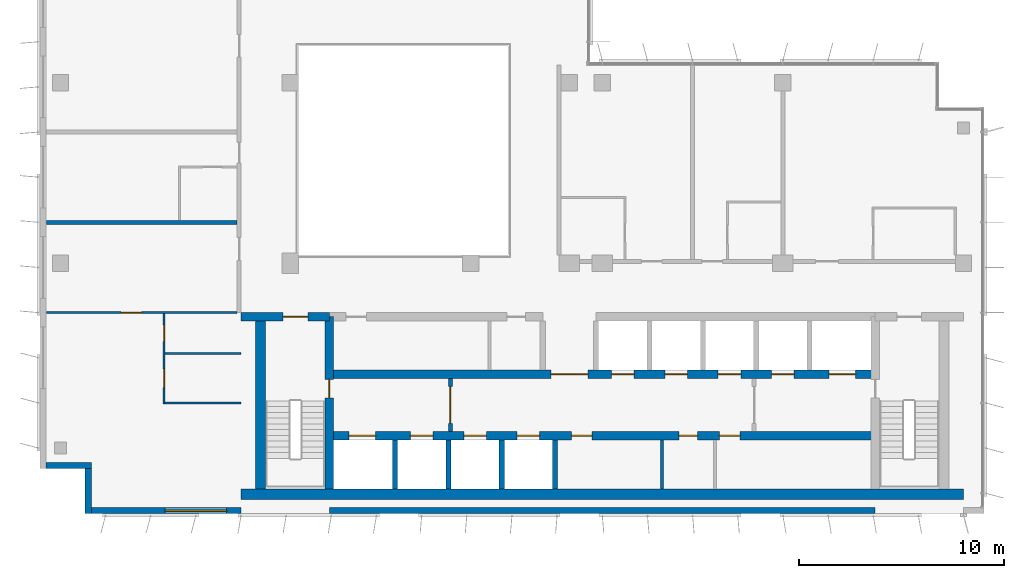
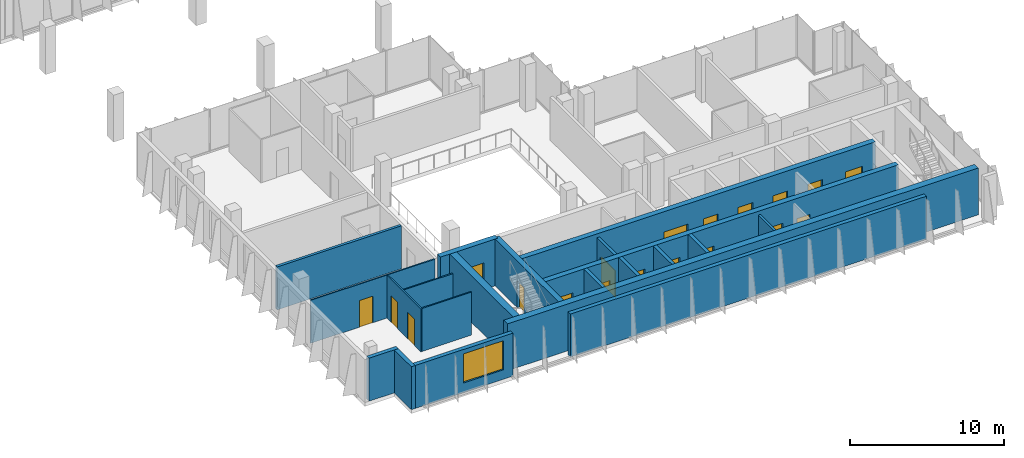
# One storey, part 9 of 14: 21 walls, 19 doors, 1 window, 20 openings.
"""IFC4 building model written with IfcOpenShell, lengths in metres."""

from ifc_helpers import new_model, si_unit, direction, frame, frame_2d, origin, place, context, subcontext, project, spatial, rectangle, extrude, material, layer, layer_set, type_object, element, fill, save


model = new_model("IFC4")

# Units and contexts
model_context = context("Model", 3, precision=1e-05, world=origin(), true_north=direction((0.0, 1.0)))
body_context = subcontext(model_context, "Body", "Model", "MODEL_VIEW")
ifc_project = project(units=[si_unit("LENGTHUNIT", "METRE"), si_unit("AREAUNIT", "SQUARE_METRE"), si_unit("VOLUMEUNIT", "CUBIC_METRE"), si_unit("PLANEANGLEUNIT", "RADIAN"), si_unit("MASSUNIT", "GRAM", prefix="KILO")], contexts=[model_context])

# Site, building, storey
site_placement = place(None, origin())
site = spatial("IfcSite", under=ifc_project, at=site_placement, CompositionType="ELEMENT")
building_placement = place(site_placement, origin())
building = spatial("IfcBuilding", under=site, at=building_placement, Name="Kemantara Hotel Tower", CompositionType="ELEMENT")
storey_placement = place(building_placement, frame((0.0, 0.0, 245.0)))
storey = spatial("IfcBuildingStorey", under=building, at=storey_placement, Name="L61", CompositionType="ELEMENT", Elevation=245.0)

# Walls
ifc_material_1 = material(Name="Bronze anodised aluminium cladding on insulated steel stud wall", Category="steel")
ifc_layer_1 = layer(ifc_material_1, 0.300048828125)
ifc_layer_set_1 = layer_set([ifc_layer_1], Name="Bronze anodised aluminium cladding on insulated steel stud wall")
wall_type_1 = type_object("IfcWallType", Name="BRONZE METAL-CLAD EXTERNAL WALL 300", PredefinedType="STANDARD", material=ifc_layer_set_1)
for number, where, z_axis, x_axis, name in (
    (1, (0.300048828125, 2.35009765625, 0.0), (0.0, 0.0, 1.0), (1.0, 0.0, 0.0), "EXTERNAL WALL L61 T4P-R03"),
    (2, (2.35009765625, 2.199951171875, 0.0), (0.0, 0.0, 1.0), (0.0, -1.0, 0.0), "EXTERNAL WALL L61 T4P-R04"),
):
    element("IfcWall", number, at=place(storey_placement, frame(where, z_axis=z_axis, x_axis=x_axis)), inside=storey, type_object=wall_type_1, Name=name, PredefinedType="STANDARD", context=body_context, shape_type="SweptSolid", body=[
        extrude(rectangle(XDim=2.199951171875, YDim=0.300048828125, at=frame_2d((1.10009765625, 0.0))), origin(), (0.0, 0.0, 1.0), 3.39990234375),
    ])

# Wall, opening, window
wall_1_placement = place(storey_placement, frame((2.5, 0.14990234375, 0.0), z_axis=(0.0, 0.0, 1.0), x_axis=(1.0, 0.0, 0.0)))
wall_1 = element("IfcWall", 3, at=wall_1_placement, inside=storey, type_object=wall_type_1, Name="EXTERNAL WALL L61 T4P-R05", PredefinedType="STANDARD", context=body_context, shape_type="SweptSolid", body=[
    extrude(rectangle(XDim=7.300048828125, YDim=0.300048828125, at=frame_2d((3.64990234375, 0.0))), origin(), (0.0, 0.0, 1.0), 3.39990234375),
])
opening_1_placement = place(wall_1_placement, frame((3.60009765625, 0.0, 0.75)))
opening_1 = element("IfcOpeningElement", 4, at=opening_1_placement, cuts=wall_1, Name="Opening W1", PredefinedType="OPENING", context=body_context, shape_type="SweptSolid", body=[
    extrude(rectangle(XDim=3.0, YDim=2.300048828125, at=frame_2d((1.5, 1.14990234375))), frame((0.0, 0.159912109375, 0.0), z_axis=(0.0, -1.0, 0.0), x_axis=(1.0, 0.0, 0.0)), (0.0, 0.0, 1.0), 0.320068359375),
])
ifc_material_2 = material(Name="Low-E tinted double insulated glass in bronze anodised aluminium frame", Category="aluminium")
window_type = type_object("IfcWindowType", Name="CHICAGO WINDOW, TRIPLE PANEL 3000x2300", PartitioningType="TRIPLE_PANEL_VERTICAL", PredefinedType="WINDOW", material=ifc_material_2)
window_placement = place(opening_1_placement, origin())
window = element("IfcWindow", 5, at=window_placement, inside=storey, type_object=window_type, Name="CHICAGO WINDOW L61 T4P-R05-54", OverallHeight=2.300048828125, OverallWidth=3.0, PartitioningType="SINGLE_PANEL", PredefinedType="WINDOW", context=body_context, shape_type="SweptSolid", body=[
    extrude(rectangle(XDim=3.0, YDim=2.300048828125, at=frame_2d((1.5, 1.14990234375))), frame((0.0, 0.030029296875, 0.0), z_axis=(0.0, -1.0, 0.0), x_axis=(1.0, 0.0, 0.0)), (0.0, 0.0, 1.0), 0.06005859375),
])
fill(opening_1, window)

# Walls
wall_2_placement = place(storey_placement, frame((14.10009765625, 0.14990234375, 0.0), z_axis=(0.0, 0.0, 1.0), x_axis=(1.0, 0.0, 0.0)))
element("IfcWall", 6, at=wall_2_placement, inside=storey, type_object=wall_type_1, Name="EXTERNAL WALL L61 T4P-R05-2", PredefinedType="STANDARD", context=body_context, shape_type="SweptSolid", body=[
    extrude(rectangle(XDim=26.599853515625, YDim=0.300048828125, at=frame_2d((13.2998046875, 0.0))), origin(), (0.0, 0.0, 1.0), 3.39990234375),
])
ifc_material_3 = material(Name="Concrete fc 60 MPa", Category="concrete")
ifc_layer_2 = layer(ifc_material_3, 0.25)
ifc_layer_set_2 = layer_set([ifc_layer_2], Name="Concrete fc 60 MPa")
wall_type_2 = type_object("IfcWallType", Name="CORE WALL 250 FC60", PredefinedType="SHEAR", material=ifc_layer_set_2)
for number, where, z_axis, x_axis, name in (
    (7, (17.300048828125, 1.199951171875, 0.0), (0.0, 0.0, 1.0), (0.0, 1.0, 0.0), "CORE WALL CW-DS17.3"),
    (8, (19.89990234375, 1.199951171875, 0.0), (0.0, 0.0, 1.0), (0.0, 1.0, 0.0), "CORE WALL CW-DS19.9"),
    (9, (22.5, 1.199951171875, 0.0), (0.0, 0.0, 1.0), (0.0, 1.0, 0.0), "CORE WALL CW-DS22.5"),
    (10, (25.10009765625, 1.199951171875, 0.0), (0.0, 0.0, 1.0), (0.0, 1.0, 0.0), "CORE WALL CW-DS25.1"),
):
    element("IfcWall", number, at=place(storey_placement, frame(where, z_axis=z_axis, x_axis=x_axis)), inside=storey, type_object=wall_type_2, Name=name, PredefinedType="SHEAR", context=body_context, shape_type="SweptSolid", body=[
        extrude(rectangle(XDim=2.400146484375, YDim=0.25, at=frame_2d((1.2001953125, 0.0))), origin(), (0.0, 0.0, 1.0), 3.699951171875),
    ])

# Wall, opening, door
ifc_layer_3 = layer(ifc_material_3, 0.39990234375)
ifc_layer_set_3 = layer_set([ifc_layer_3], Name="Concrete fc 60 MPa")
wall_type_3 = type_object("IfcWallType", Name="CORE WALL 400 FC60", PredefinedType="SHEAR", material=ifc_layer_set_3)
wall_3_placement = place(storey_placement, frame((9.800048828125, 9.60009765625, 0.0), z_axis=(0.0, 0.0, 1.0), x_axis=(1.0, 0.0, 0.0)))
wall_3 = element("IfcWall", 11, at=wall_3_placement, inside=storey, type_object=wall_type_3, Name="CORE WALL CW-N1", PredefinedType="SHEAR", context=body_context, shape_type="SweptSolid", body=[
    extrude(rectangle(XDim=4.300048828125, YDim=0.39990234375, at=frame_2d((2.14990234375, 0.0))), origin(), (0.0, 0.0, 1.0), 3.699951171875),
])
opening_2_placement = place(wall_3_placement, frame((2.050048828125, 0.0, 0.0)))
opening_2 = element("IfcOpeningElement", 12, at=opening_2_placement, cuts=wall_3, Name="Opening C36-ST1-C", PredefinedType="OPENING", context=body_context, shape_type="SweptSolid", body=[
    extrude(rectangle(XDim=1.199951171875, YDim=2.10009765625, at=frame_2d((0.60009765625, 1.050048828125))), frame((0.0, 0.2099609375, 0.0), z_axis=(0.0, -1.0, 0.0), x_axis=(1.0, 0.0, 0.0)), (0.0, 0.0, 1.0), 0.419921875),
])
ifc_material_4 = material(Name="Steel fire door", Category="steel")
door_type_1 = type_object("IfcDoorType", Name="Fire door FD90 1200 x 2100", OperationType="NOTDEFINED", PredefinedType="DOOR", material=ifc_material_4)
door_1_placement = place(opening_2_placement, frame((1.199951171875, 0.0, 0.0), z_axis=(0.0, 0.0, 1.0), x_axis=(-1.0, 0.0, 0.0)))
door_1 = element("IfcDoor", 13, at=door_1_placement, inside=storey, type_object=door_type_1, Name="Stair ST1 door to corridor", OperationType="SINGLE_SWING_LEFT", OverallHeight=2.10009765625, OverallWidth=1.199951171875, PredefinedType="DOOR", context=body_context, shape_type="SweptSolid", body=[
    extrude(rectangle(XDim=1.199951171875, YDim=2.10009765625, at=frame_2d((0.60009765625, 1.050048828125))), frame((0.0, 0.02490234375, 0.0), z_axis=(0.0, -1.0, 0.0), x_axis=(1.0, 0.0, 0.0)), (0.0, 0.0, 1.0), 0.050048828125),
])
fill(opening_2, door_1)

# Wall, openings, doors
wall_4_placement = place(storey_placement, frame((14.10009765625, 3.800048828125, 0.0), z_axis=(0.0, 0.0, 1.0), x_axis=(1.0, 0.0, 0.0)))
wall_4 = element("IfcWall", 14, at=wall_4_placement, inside=storey, type_object=wall_type_3, Name="CORE WALL CW-L1", PredefinedType="SHEAR", context=body_context, shape_type="SweptSolid", body=[
    extrude(rectangle(XDim=26.599853515625, YDim=0.39990234375, at=frame_2d((13.2998046875, 0.0))), origin(), (0.0, 0.0, 1.0), 3.699951171875),
])
opening_3_placement = place(wall_4_placement, frame((0.949951171875, 0.0, 0.0)))
opening_3 = element("IfcOpeningElement", 15, at=opening_3_placement, cuts=wall_4, Name="Opening C36-LD-FF1", PredefinedType="OPENING", context=body_context, shape_type="SweptSolid", body=[
    extrude(rectangle(XDim=1.300048828125, YDim=2.10009765625, at=frame_2d((0.64990234375, 1.050048828125))), frame((0.0, 0.2099609375, 0.0), z_axis=(0.0, -1.0, 0.0), x_axis=(1.0, 0.0, 0.0)), (0.0, 0.0, 1.0), 0.419921875),
])
opening_4_placement = place(wall_4_placement, frame((3.949951171875, 0.0, 0.0)))
opening_4 = element("IfcOpeningElement", 16, at=opening_4_placement, cuts=wall_4, Name="Opening C36-LD-SV1", PredefinedType="OPENING", context=body_context, shape_type="SweptSolid", body=[
    extrude(rectangle(XDim=1.10009765625, YDim=2.10009765625, at=frame_2d((0.550048828125, 1.050048828125))), frame((0.0, 0.2099609375, 0.0), z_axis=(0.0, -1.0, 0.0), x_axis=(1.0, 0.0, 0.0)), (0.0, 0.0, 1.0), 0.419921875),
])
opening_5_placement = place(wall_4_placement, frame((6.550048828125, 0.0, 0.0)))
opening_5 = element("IfcOpeningElement", 17, at=opening_5_placement, cuts=wall_4, Name="Opening C36-LD-SV2", PredefinedType="OPENING", context=body_context, shape_type="SweptSolid", body=[
    extrude(rectangle(XDim=1.10009765625, YDim=2.10009765625, at=frame_2d((0.550048828125, 1.050048828125))), frame((0.0, 0.2099609375, 0.0), z_axis=(0.0, -1.0, 0.0), x_axis=(1.0, 0.0, 0.0)), (0.0, 0.0, 1.0), 0.419921875),
])
opening_6_placement = place(wall_4_placement, frame((9.14990234375, 0.0, 0.0)))
opening_6 = element("IfcOpeningElement", 18, at=opening_6_placement, cuts=wall_4, Name="Opening C36-LD-SV3", PredefinedType="OPENING", context=body_context, shape_type="SweptSolid", body=[
    extrude(rectangle(XDim=1.10009765625, YDim=2.10009765625, at=frame_2d((0.550048828125, 1.050048828125))), frame((0.0, 0.2099609375, 0.0), z_axis=(0.0, -1.0, 0.0), x_axis=(1.0, 0.0, 0.0)), (0.0, 0.0, 1.0), 0.419921875),
])
opening_7_placement = place(wall_4_placement, frame((11.800048828125, 0.0, 0.0)))
opening_7 = element("IfcOpeningElement", 19, at=opening_7_placement, cuts=wall_4, Name="Opening C36-R-SM1", PredefinedType="OPENING", context=body_context, shape_type="SweptSolid", body=[
    extrude(rectangle(XDim=1.0, YDim=2.10009765625, at=frame_2d((0.5, 1.050048828125))), frame((0.0, 0.2099609375, 0.0), z_axis=(0.0, -1.0, 0.0), x_axis=(1.0, 0.0, 0.0)), (0.0, 0.0, 1.0), 0.419921875),
])
opening_8_placement = place(wall_4_placement, frame((17.050048828125, 0.0, 0.0)))
opening_8 = element("IfcOpeningElement", 20, at=opening_8_placement, cuts=wall_4, Name="Opening C36-R-SM2", PredefinedType="OPENING", context=body_context, shape_type="SweptSolid", body=[
    extrude(rectangle(XDim=0.89990234375, YDim=2.10009765625, at=frame_2d((0.449951171875, 1.050048828125))), frame((0.0, 0.2099609375, 0.0), z_axis=(0.0, -1.0, 0.0), x_axis=(1.0, 0.0, 0.0)), (0.0, 0.0, 1.0), 0.419921875),
])
opening_9_placement = place(wall_4_placement, frame((19.0, 0.0, 0.0)))
opening_9 = element("IfcOpeningElement", 21, at=opening_9_placement, cuts=wall_4, Name="Opening C36-R-SM3", PredefinedType="OPENING", context=body_context, shape_type="SweptSolid", body=[
    extrude(rectangle(XDim=1.0, YDim=2.10009765625, at=frame_2d((0.5, 1.050048828125))), frame((0.0, 0.2099609375, 0.0), z_axis=(0.0, -1.0, 0.0), x_axis=(1.0, 0.0, 0.0)), (0.0, 0.0, 1.0), 0.419921875),
])
door_type_2 = type_object("IfcDoorType", Name="Fire door FD30S 1000 x 2100", OperationType="NOTDEFINED", PredefinedType="DOOR", material=ifc_material_4)
door_2_placement = place(opening_7_placement, frame((1.0, 0.0, 0.0), z_axis=(0.0, 0.0, 1.0), x_axis=(-1.0, 0.0, 0.0)))
door_2 = element("IfcDoor", 22, at=door_2_placement, inside=storey, type_object=door_type_2, Name="Ice And Vending Room door", OperationType="SINGLE_SWING_RIGHT", OverallHeight=2.10009765625, OverallWidth=1.0, PredefinedType="DOOR", context=body_context, shape_type="SweptSolid", body=[
    extrude(rectangle(XDim=1.0, YDim=2.10009765625, at=frame_2d((0.5, 1.050048828125))), frame((0.0, 0.02490234375, 0.0), z_axis=(0.0, -1.0, 0.0), x_axis=(1.0, 0.0, 0.0)), (0.0, 0.0, 1.0), 0.050048828125),
])
fill(opening_7, door_2)
door_3_placement = place(opening_9_placement, frame((1.0, 0.0, 0.0), z_axis=(0.0, 0.0, 1.0), x_axis=(-1.0, 0.0, 0.0)))
door_3 = element("IfcDoor", 23, at=door_3_placement, inside=storey, type_object=door_type_2, Name="Guest Pantry door", OperationType="SINGLE_SWING_LEFT", OverallHeight=2.10009765625, OverallWidth=1.0, PredefinedType="DOOR", context=body_context, shape_type="SweptSolid", body=[
    extrude(rectangle(XDim=1.0, YDim=2.10009765625, at=frame_2d((0.5, 1.050048828125))), frame((0.0, 0.02490234375, 0.0), z_axis=(0.0, -1.0, 0.0), x_axis=(1.0, 0.0, 0.0)), (0.0, 0.0, 1.0), 0.050048828125),
])
fill(opening_9, door_3)
door_type_3 = type_object("IfcDoorType", Name="Fire door FD30S 900 x 2100", OperationType="NOTDEFINED", PredefinedType="DOOR", material=ifc_material_4)
door_4_placement = place(opening_8_placement, frame((0.89990234375, 0.0, 0.0), z_axis=(0.0, 0.0, 1.0), x_axis=(-1.0, 0.0, 0.0)))
door_4 = element("IfcDoor", 24, at=door_4_placement, inside=storey, type_object=door_type_3, Name="Staff Wc door", OperationType="SINGLE_SWING_LEFT", OverallHeight=2.10009765625, OverallWidth=0.89990234375, PredefinedType="DOOR", context=body_context, shape_type="SweptSolid", body=[
    extrude(rectangle(XDim=0.89990234375, YDim=2.10009765625, at=frame_2d((0.449951171875, 1.050048828125))), frame((0.0, 0.02490234375, 0.0), z_axis=(0.0, -1.0, 0.0), x_axis=(1.0, 0.0, 0.0)), (0.0, 0.0, 1.0), 0.050048828125),
])
fill(opening_8, door_4)
ifc_material_5 = material(Name="Stainless steel lift door", Category="steel")
door_type_4 = type_object("IfcDoorType", Name="Lift landing door 1100 x 2100 FD60", OperationType="DOUBLE_DOOR_SLIDING", PredefinedType="DOOR", material=ifc_material_5)
door_5_placement = place(opening_4_placement, origin())
door_5 = element("IfcDoor", 25, at=door_5_placement, inside=storey, type_object=door_type_4, Name="Lift SV1 landing door", OperationType="DOUBLE_DOOR_SLIDING", OverallHeight=2.10009765625, OverallWidth=1.10009765625, PredefinedType="DOOR", context=body_context, shape_type="SweptSolid", body=[
    extrude(rectangle(XDim=1.10009765625, YDim=2.10009765625, at=frame_2d((0.550048828125, 1.050048828125))), frame((0.0, 0.02490234375, 0.0), z_axis=(0.0, -1.0, 0.0), x_axis=(1.0, 0.0, 0.0)), (0.0, 0.0, 1.0), 0.050048828125),
])
fill(opening_4, door_5)
door_6_placement = place(opening_5_placement, origin())
door_6 = element("IfcDoor", 26, at=door_6_placement, inside=storey, type_object=door_type_4, Name="Lift SV2 landing door", OperationType="DOUBLE_DOOR_SLIDING", OverallHeight=2.10009765625, OverallWidth=1.10009765625, PredefinedType="DOOR", context=body_context, shape_type="SweptSolid", body=[
    extrude(rectangle(XDim=1.10009765625, YDim=2.10009765625, at=frame_2d((0.550048828125, 1.050048828125))), frame((0.0, 0.02490234375, 0.0), z_axis=(0.0, -1.0, 0.0), x_axis=(1.0, 0.0, 0.0)), (0.0, 0.0, 1.0), 0.050048828125),
])
fill(opening_5, door_6)
door_7_placement = place(opening_6_placement, origin())
door_7 = element("IfcDoor", 27, at=door_7_placement, inside=storey, type_object=door_type_4, Name="Lift SV3 landing door", OperationType="DOUBLE_DOOR_SLIDING", OverallHeight=2.10009765625, OverallWidth=1.10009765625, PredefinedType="DOOR", context=body_context, shape_type="SweptSolid", body=[
    extrude(rectangle(XDim=1.10009765625, YDim=2.10009765625, at=frame_2d((0.550048828125, 1.050048828125))), frame((0.0, 0.02490234375, 0.0), z_axis=(0.0, -1.0, 0.0), x_axis=(1.0, 0.0, 0.0)), (0.0, 0.0, 1.0), 0.050048828125),
])
fill(opening_6, door_7)
door_type_5 = type_object("IfcDoorType", Name="Lift landing door 1300 x 2100 FD90", OperationType="DOUBLE_DOOR_SLIDING", PredefinedType="DOOR", material=ifc_material_5)
door_8_placement = place(opening_3_placement, origin())
door_8 = element("IfcDoor", 28, at=door_8_placement, inside=storey, type_object=door_type_5, Name="Lift FF1 landing door", OperationType="DOUBLE_DOOR_SLIDING", OverallHeight=2.10009765625, OverallWidth=1.300048828125, PredefinedType="DOOR", context=body_context, shape_type="SweptSolid", body=[
    extrude(rectangle(XDim=1.300048828125, YDim=2.10009765625, at=frame_2d((0.64990234375, 1.050048828125))), frame((0.0, 0.02490234375, 0.0), z_axis=(0.0, -1.0, 0.0), x_axis=(1.0, 0.0, 0.0)), (0.0, 0.0, 1.0), 0.050048828125),
])
fill(opening_3, door_8)

wall_5_placement = place(storey_placement, frame((14.10009765625, 6.800048828125, 0.0), z_axis=(0.0, 0.0, 1.0), x_axis=(1.0, 0.0, 0.0)))
wall_5 = element("IfcWall", 29, at=wall_5_placement, inside=storey, type_object=wall_type_3, Name="CORE WALL CW-L2", PredefinedType="SHEAR", context=body_context, shape_type="SweptSolid", body=[
    extrude(rectangle(XDim=26.599853515625, YDim=0.39990234375, at=frame_2d((13.2998046875, 0.0))), origin(), (0.0, 0.0, 1.0), 3.699951171875),
])
opening_10_placement = place(wall_5_placement, frame((10.800048828125, 0.0, 0.0)))
opening_10 = element("IfcOpeningElement", 30, at=opening_10_placement, cuts=wall_5, Name="Opening C36-VL", PredefinedType="OPENING", context=body_context, shape_type="SweptSolid", body=[
    extrude(rectangle(XDim=1.800048828125, YDim=2.10009765625, at=frame_2d((0.89990234375, 1.050048828125))), frame((0.0, 0.2099609375, 0.0), z_axis=(0.0, -1.0, 0.0), x_axis=(1.0, 0.0, 0.0)), (0.0, 0.0, 1.0), 0.419921875),
])
opening_11_placement = place(wall_5_placement, frame((13.75, 0.0, 0.0)))
opening_11 = element("IfcOpeningElement", 31, at=opening_11_placement, cuts=wall_5, Name="Opening C36-LD-HR1", PredefinedType="OPENING", context=body_context, shape_type="SweptSolid", body=[
    extrude(rectangle(XDim=1.10009765625, YDim=2.10009765625, at=frame_2d((0.550048828125, 1.050048828125))), frame((0.0, 0.2099609375, 0.0), z_axis=(0.0, -1.0, 0.0), x_axis=(1.0, 0.0, 0.0)), (0.0, 0.0, 1.0), 0.419921875),
])
opening_12_placement = place(wall_5_placement, frame((16.35009765625, 0.0, 0.0)))
opening_12 = element("IfcOpeningElement", 32, at=opening_12_placement, cuts=wall_5, Name="Opening C36-LD-HR2", PredefinedType="OPENING", context=body_context, shape_type="SweptSolid", body=[
    extrude(rectangle(XDim=1.10009765625, YDim=2.10009765625, at=frame_2d((0.550048828125, 1.050048828125))), frame((0.0, 0.2099609375, 0.0), z_axis=(0.0, -1.0, 0.0), x_axis=(1.0, 0.0, 0.0)), (0.0, 0.0, 1.0), 0.419921875),
])
opening_13_placement = place(wall_5_placement, frame((18.949951171875, 0.0, 0.0)))
opening_13 = element("IfcOpeningElement", 33, at=opening_13_placement, cuts=wall_5, Name="Opening C36-LD-HR3", PredefinedType="OPENING", context=body_context, shape_type="SweptSolid", body=[
    extrude(rectangle(XDim=1.10009765625, YDim=2.10009765625, at=frame_2d((0.550048828125, 1.050048828125))), frame((0.0, 0.2099609375, 0.0), z_axis=(0.0, -1.0, 0.0), x_axis=(1.0, 0.0, 0.0)), (0.0, 0.0, 1.0), 0.419921875),
])
opening_14_placement = place(wall_5_placement, frame((21.550048828125, 0.0, 0.0)))
opening_14 = element("IfcOpeningElement", 34, at=opening_14_placement, cuts=wall_5, Name="Opening C36-LD-HR4", PredefinedType="OPENING", context=body_context, shape_type="SweptSolid", body=[
    extrude(rectangle(XDim=1.10009765625, YDim=2.10009765625, at=frame_2d((0.550048828125, 1.050048828125))), frame((0.0, 0.2099609375, 0.0), z_axis=(0.0, -1.0, 0.0), x_axis=(1.0, 0.0, 0.0)), (0.0, 0.0, 1.0), 0.419921875),
])
opening_15_placement = place(wall_5_placement, frame((24.35009765625, 0.0, 0.0)))
opening_15 = element("IfcOpeningElement", 35, at=opening_15_placement, cuts=wall_5, Name="Opening C36-LD-FF2", PredefinedType="OPENING", context=body_context, shape_type="SweptSolid", body=[
    extrude(rectangle(XDim=1.300048828125, YDim=2.10009765625, at=frame_2d((0.64990234375, 1.050048828125))), frame((0.0, 0.2099609375, 0.0), z_axis=(0.0, -1.0, 0.0), x_axis=(1.0, 0.0, 0.0)), (0.0, 0.0, 1.0), 0.419921875),
])
door_type_6 = type_object("IfcDoorType", Name="Fire door pair FD60 1800 x 2100", OperationType="DOUBLE_DOOR_SINGLE_SWING", PredefinedType="DOOR", material=ifc_material_4)
door_9_placement = place(opening_10_placement, frame((1.800048828125, 0.0, 0.0), z_axis=(0.0, 0.0, 1.0), x_axis=(-1.0, 0.0, 0.0)))
door_9 = element("IfcDoor", 36, at=door_9_placement, inside=storey, type_object=door_type_6, Name="Lift lobby entry door", OperationType="DOUBLE_DOOR_SINGLE_SWING", OverallHeight=2.10009765625, OverallWidth=1.800048828125, PredefinedType="DOOR", context=body_context, shape_type="SweptSolid", body=[
    extrude(rectangle(XDim=1.800048828125, YDim=2.10009765625, at=frame_2d((0.89990234375, 1.050048828125))), frame((0.0, 0.02490234375, 0.0), z_axis=(0.0, -1.0, 0.0), x_axis=(1.0, 0.0, 0.0)), (0.0, 0.0, 1.0), 0.050048828125),
])
fill(opening_10, door_9)
door_10_placement = place(opening_11_placement, origin())
door_10 = element("IfcDoor", 37, at=door_10_placement, inside=storey, type_object=door_type_4, Name="Lift HR1 landing door", OperationType="DOUBLE_DOOR_SLIDING", OverallHeight=2.10009765625, OverallWidth=1.10009765625, PredefinedType="DOOR", context=body_context, shape_type="SweptSolid", body=[
    extrude(rectangle(XDim=1.10009765625, YDim=2.10009765625, at=frame_2d((0.550048828125, 1.050048828125))), frame((0.0, 0.02490234375, 0.0), z_axis=(0.0, -1.0, 0.0), x_axis=(1.0, 0.0, 0.0)), (0.0, 0.0, 1.0), 0.050048828125),
])
fill(opening_11, door_10)
door_11_placement = place(opening_12_placement, origin())
door_11 = element("IfcDoor", 38, at=door_11_placement, inside=storey, type_object=door_type_4, Name="Lift HR2 landing door", OperationType="DOUBLE_DOOR_SLIDING", OverallHeight=2.10009765625, OverallWidth=1.10009765625, PredefinedType="DOOR", context=body_context, shape_type="SweptSolid", body=[
    extrude(rectangle(XDim=1.10009765625, YDim=2.10009765625, at=frame_2d((0.550048828125, 1.050048828125))), frame((0.0, 0.02490234375, 0.0), z_axis=(0.0, -1.0, 0.0), x_axis=(1.0, 0.0, 0.0)), (0.0, 0.0, 1.0), 0.050048828125),
])
fill(opening_12, door_11)
door_12_placement = place(opening_13_placement, origin())
door_12 = element("IfcDoor", 39, at=door_12_placement, inside=storey, type_object=door_type_4, Name="Lift HR3 landing door", OperationType="DOUBLE_DOOR_SLIDING", OverallHeight=2.10009765625, OverallWidth=1.10009765625, PredefinedType="DOOR", context=body_context, shape_type="SweptSolid", body=[
    extrude(rectangle(XDim=1.10009765625, YDim=2.10009765625, at=frame_2d((0.550048828125, 1.050048828125))), frame((0.0, 0.02490234375, 0.0), z_axis=(0.0, -1.0, 0.0), x_axis=(1.0, 0.0, 0.0)), (0.0, 0.0, 1.0), 0.050048828125),
])
fill(opening_13, door_12)
door_13_placement = place(opening_14_placement, origin())
door_13 = element("IfcDoor", 40, at=door_13_placement, inside=storey, type_object=door_type_4, Name="Lift HR4 landing door", OperationType="DOUBLE_DOOR_SLIDING", OverallHeight=2.10009765625, OverallWidth=1.10009765625, PredefinedType="DOOR", context=body_context, shape_type="SweptSolid", body=[
    extrude(rectangle(XDim=1.10009765625, YDim=2.10009765625, at=frame_2d((0.550048828125, 1.050048828125))), frame((0.0, 0.02490234375, 0.0), z_axis=(0.0, -1.0, 0.0), x_axis=(1.0, 0.0, 0.0)), (0.0, 0.0, 1.0), 0.050048828125),
])
fill(opening_14, door_13)
door_14_placement = place(opening_15_placement, origin())
door_14 = element("IfcDoor", 41, at=door_14_placement, inside=storey, type_object=door_type_5, Name="Lift FF2 landing door", OperationType="DOUBLE_DOOR_SLIDING", OverallHeight=2.10009765625, OverallWidth=1.300048828125, PredefinedType="DOOR", context=body_context, shape_type="SweptSolid", body=[
    extrude(rectangle(XDim=1.300048828125, YDim=2.10009765625, at=frame_2d((0.64990234375, 1.050048828125))), frame((0.0, 0.02490234375, 0.0), z_axis=(0.0, -1.0, 0.0), x_axis=(1.0, 0.0, 0.0)), (0.0, 0.0, 1.0), 0.050048828125),
])
fill(opening_15, door_14)

# Wall, opening, door
wall_6_placement = place(storey_placement, frame((14.10009765625, 1.199951171875, 0.0), z_axis=(0.0, 0.0, 1.0), x_axis=(0.0, 1.0, 0.0)))
wall_6 = element("IfcWall", 42, at=wall_6_placement, inside=storey, type_object=wall_type_3, Name="CORE WALL CW-ST1E", PredefinedType="SHEAR", context=body_context, shape_type="SweptSolid", body=[
    extrude(rectangle(XDim=8.400146484375, YDim=0.39990234375, at=frame_2d((4.2001953125, 0.0))), origin(), (0.0, 0.0, 1.0), 3.699951171875),
])
opening_16_placement = place(wall_6_placement, frame((4.449951171875, 0.0, 0.0)))
opening_16 = element("IfcOpeningElement", 43, at=opening_16_placement, cuts=wall_6, Name="Opening C36-ST1-F", PredefinedType="OPENING", context=body_context, shape_type="SweptSolid", body=[
    extrude(rectangle(XDim=0.89990234375, YDim=2.10009765625, at=frame_2d((0.449951171875, 1.050048828125))), frame((0.0, 0.2099609375, 0.0), z_axis=(0.0, -1.0, 0.0), x_axis=(1.0, 0.0, 0.0)), (0.0, 0.0, 1.0), 0.419921875),
])
door_type_7 = type_object("IfcDoorType", Name="Fire door FD90 900 x 2100", OperationType="NOTDEFINED", PredefinedType="DOOR", material=ifc_material_4)
door_15_placement = place(opening_16_placement, origin())
door_15 = element("IfcDoor", 44, at=door_15_placement, inside=storey, type_object=door_type_7, Name="Stair ST1 door to firefighting lobby", OperationType="SINGLE_SWING_RIGHT", OverallHeight=2.10009765625, OverallWidth=0.89990234375, PredefinedType="DOOR", context=body_context, shape_type="SweptSolid", body=[
    extrude(rectangle(XDim=0.89990234375, YDim=2.10009765625, at=frame_2d((0.449951171875, 1.050048828125))), frame((0.0, 0.02490234375, 0.0), z_axis=(0.0, -1.0, 0.0), x_axis=(1.0, 0.0, 0.0)), (0.0, 0.0, 1.0), 0.050048828125),
])
fill(opening_16, door_15)

# Walls
ifc_layer_4 = layer(ifc_material_3, 0.5)
ifc_layer_set_4 = layer_set([ifc_layer_4], Name="Concrete fc 60 MPa")
wall_type_4 = type_object("IfcWallType", Name="CORE WALL 500 FC60", PredefinedType="SHEAR", material=ifc_layer_set_4)
wall_7_placement = place(storey_placement, frame((9.800048828125, 0.949951171875, 0.0), z_axis=(0.0, 0.0, 1.0), x_axis=(1.0, 0.0, 0.0)))
element("IfcWall", 45, at=wall_7_placement, inside=storey, type_object=wall_type_4, Name="CORE WALL CW-S", PredefinedType="SHEAR", context=body_context, shape_type="SweptSolid", body=[
    extrude(rectangle(XDim=35.199951171875, YDim=0.5, at=frame_2d((17.60009765625, 0.0))), origin(), (0.0, 0.0, 1.0), 3.699951171875),
])
wall_8_placement = place(storey_placement, frame((10.75, 1.199951171875, 0.0), z_axis=(0.0, 0.0, 1.0), x_axis=(0.0, 1.0, 0.0)))
element("IfcWall", 46, at=wall_8_placement, inside=storey, type_object=wall_type_4, Name="CORE WALL CW-W", PredefinedType="SHEAR", context=body_context, shape_type="SweptSolid", body=[
    extrude(rectangle(XDim=8.60009765625, YDim=0.5, at=frame_2d((4.300048828125, 0.0))), origin(), (0.0, 0.0, 1.0), 3.699951171875),
])
ifc_material_6 = material(Name="Gypsum board partition, steel studs and mineral wool, 200 mm", Category="steel")
ifc_layer_5 = layer(ifc_material_6, 0.199951171875)
ifc_layer_set_5 = layer_set([ifc_layer_5], Name="Gypsum board partition, steel studs and mineral wool, 200 mm")
wall_type_5 = type_object("IfcWallType", Name="GUEST ROOM PARTY WALL 200", PredefinedType="PARTITIONING", material=ifc_layer_set_5)
wall_9_placement = place(storey_placement, frame((0.31005859375, 14.199951171875, 0.0), z_axis=(0.0, 0.0, 1.0), x_axis=(1.0, 0.0, 0.0)))
element("IfcWall", 47, at=wall_9_placement, inside=storey, type_object=wall_type_5, Name="GUEST ROOM PARTY WALL 200 016", PredefinedType="PARTITIONING", context=body_context, shape_type="SweptSolid", body=[
    extrude(rectangle(XDim=9.2900390625, YDim=0.199951171875, at=frame_2d((4.64501953125, 0.0))), origin(), (0.0, 0.0, 1.0), 3.39990234375),
])
ifc_material_7 = material(Name="Gypsum board partition")
ifc_layer_6 = layer(ifc_material_7, 0.14990234375)
ifc_layer_set_6 = layer_set([ifc_layer_6], Name="Gypsum board partition")
wall_type_6 = type_object("IfcWallType", Name="Gypsum board partition 150 mm", PredefinedType="PARTITIONING", material=ifc_layer_set_6)
wall_10_placement = place(storey_placement, frame((30.300048828125, 1.199951171875, 0.0), z_axis=(0.0, 0.0, 1.0), x_axis=(0.0, 1.0, 0.0)))
element("IfcWall", 48, at=wall_10_placement, inside=storey, type_object=wall_type_6, Name="Core room partition", PredefinedType="PARTITIONING", context=body_context, shape_type="SweptSolid", body=[
    extrude(rectangle(XDim=2.400146484375, YDim=0.14990234375, at=frame_2d((1.2001953125, 0.0))), origin(), (0.0, 0.0, 1.0), 3.39990234375),
])

# Wall, opening, door
ifc_material_8 = material(Name="Gypsum board shaft wall")
ifc_layer_7 = layer(ifc_material_8, 0.199951171875)
ifc_layer_set_7 = layer_set([ifc_layer_7], Name="Gypsum board shaft wall")
wall_type_7 = type_object("IfcWallType", Name="Gypsum board shaft wall 200 mm", PredefinedType="PARTITIONING", material=ifc_layer_set_7)
wall_11_placement = place(storey_placement, frame((20.0, 4.0, 0.0), z_axis=(0.0, 0.0, 1.0), x_axis=(0.0, 1.0, 0.0)))
wall_11 = element("IfcWall", 49, at=wall_11_placement, inside=storey, type_object=wall_type_7, Name="Firefighting lobby partition west", PredefinedType="PARTITIONING", context=body_context, shape_type="SweptSolid", body=[
    extrude(rectangle(XDim=2.60009765625, YDim=0.199951171875, at=frame_2d((1.300048828125, 0.0))), origin(), (0.0, 0.0, 1.0), 3.39990234375),
])
opening_17_placement = place(wall_11_placement, frame((0.39990234375, 0.0, 0.0)))
opening_17 = element("IfcOpeningElement", 50, at=opening_17_placement, cuts=wall_11, Name="Opening C36-FFW", PredefinedType="OPENING", context=body_context, shape_type="SweptSolid", body=[
    extrude(rectangle(XDim=1.800048828125, YDim=2.10009765625, at=frame_2d((0.89990234375, 1.050048828125))), frame((0.0, 0.10986328125, 0.0), z_axis=(0.0, -1.0, 0.0), x_axis=(1.0, 0.0, 0.0)), (0.0, 0.0, 1.0), 0.219970703125),
])
door_16_placement = place(opening_17_placement, origin())
door_16 = element("IfcDoor", 51, at=door_16_placement, inside=storey, type_object=door_type_6, Name="Firefighting lobby door west", OperationType="DOUBLE_DOOR_SINGLE_SWING", OverallHeight=2.10009765625, OverallWidth=1.800048828125, PredefinedType="DOOR", context=body_context, shape_type="SweptSolid", body=[
    extrude(rectangle(XDim=1.800048828125, YDim=2.10009765625, at=frame_2d((0.89990234375, 1.050048828125))), frame((0.0, 0.02490234375, 0.0), z_axis=(0.0, -1.0, 0.0), x_axis=(1.0, 0.0, 0.0)), (0.0, 0.0, 1.0), 0.050048828125),
])
fill(opening_17, door_16)

# Wall, openings, doors
ifc_material_9 = material(Name="Gypsum board partition on steel studs, 100 mm", Category="steel")
ifc_layer_8 = layer(ifc_material_9, 0.10009765625)
ifc_layer_set_8 = layer_set([ifc_layer_8], Name="Gypsum board partition on steel studs, 100 mm")
wall_type_8 = type_object("IfcWallType", Name="ROOM PARTITION 100", PredefinedType="PARTITIONING", material=ifc_layer_set_8)
wall_12_placement = place(storey_placement, frame((6.050048828125, 9.75, 0.0), z_axis=(0.0, 0.0, 1.0), x_axis=(0.0, -1.0, 0.0)))
wall_12 = element("IfcWall", 52, at=wall_12_placement, inside=storey, type_object=wall_type_8, Name="ROOM PARTITION 100 028", PredefinedType="PARTITIONING", context=body_context, shape_type="SweptSolid", body=[
    extrude(rectangle(XDim=4.39990234375, YDim=0.10009765625, at=frame_2d((2.199951171875, 0.0))), origin(), (0.0, 0.0, 1.0), 3.39990234375),
])
opening_18_placement = place(wall_12_placement, frame((2.699951171875, 0.0, 0.0)))
opening_18 = element("IfcOpeningElement", 53, at=opening_18_placement, cuts=wall_12, Name="Opening F30-009", PredefinedType="OPENING", context=body_context, shape_type="SweptSolid", body=[
    extrude(rectangle(XDim=0.89990234375, YDim=2.10009765625, at=frame_2d((0.449951171875, 1.050048828125))), frame((0.0, 0.06005859375, 0.0), z_axis=(0.0, -1.0, 0.0), x_axis=(1.0, 0.0, 0.0)), (0.0, 0.0, 1.0), 0.1201171875),
])
opening_19_placement = place(wall_12_placement, frame((0.550048828125, 0.0, 0.0)))
opening_19 = element("IfcOpeningElement", 54, at=opening_19_placement, cuts=wall_12, Name="Opening F30-010", PredefinedType="OPENING", context=body_context, shape_type="SweptSolid", body=[
    extrude(rectangle(XDim=0.800048828125, YDim=2.10009765625, at=frame_2d((0.39990234375, 1.050048828125))), frame((0.0, 0.06005859375, 0.0), z_axis=(0.0, -1.0, 0.0), x_axis=(1.0, 0.0, 0.0)), (0.0, 0.0, 1.0), 0.1201171875),
])
ifc_material_10 = material(Name="Hardwood veneer door leaf with steel frame", Category="steel")
door_type_8 = type_object("IfcDoorType", Name="BATHROOM DOOR 900 X 2100", OperationType="NOTDEFINED", PredefinedType="DOOR", material=ifc_material_10)
door_17_placement = place(opening_18_placement, origin())
door_17 = element("IfcDoor", 55, at=door_17_placement, inside=storey, type_object=door_type_8, Name="BATHROOM DOOR F30-009", OperationType="SINGLE_SWING_LEFT", OverallHeight=2.10009765625, OverallWidth=0.89990234375, PredefinedType="DOOR", context=body_context, shape_type="SweptSolid", body=[
    extrude(rectangle(XDim=0.89990234375, YDim=2.10009765625, at=frame_2d((0.449951171875, 1.050048828125))), frame((0.0, 0.02490234375, 0.0), z_axis=(0.0, -1.0, 0.0), x_axis=(1.0, 0.0, 0.0)), (0.0, 0.0, 1.0), 0.050048828125),
])
fill(opening_18, door_17)
door_type_9 = type_object("IfcDoorType", Name="WARDROBE DOOR 800 X 2100", OperationType="NOTDEFINED", PredefinedType="DOOR", material=ifc_material_10)
door_18_placement = place(opening_19_placement, origin())
door_18 = element("IfcDoor", 56, at=door_18_placement, inside=storey, type_object=door_type_9, Name="WARDROBE DOOR F30-010", OperationType="SINGLE_SWING_LEFT", OverallHeight=2.10009765625, OverallWidth=0.800048828125, PredefinedType="DOOR", context=body_context, shape_type="SweptSolid", body=[
    extrude(rectangle(XDim=0.800048828125, YDim=2.10009765625, at=frame_2d((0.39990234375, 1.050048828125))), frame((0.0, 0.02490234375, 0.0), z_axis=(0.0, -1.0, 0.0), x_axis=(1.0, 0.0, 0.0)), (0.0, 0.0, 1.0), 0.050048828125),
])
fill(opening_19, door_18)

# Wall, opening, door
wall_13_placement = place(storey_placement, frame((9.60009765625, 9.800048828125, 0.0), z_axis=(0.0, 0.0, 1.0), x_axis=(-1.0, 0.0, 0.0)))
wall_13 = element("IfcWall", 57, at=wall_13_placement, inside=storey, type_object=wall_type_8, Name="ROOM PARTITION 100 029", PredefinedType="PARTITIONING", context=body_context, shape_type="SweptSolid", body=[
    extrude(rectangle(XDim=9.2900390625, YDim=0.10009765625, at=frame_2d((4.64501953125, 0.0))), origin(), (0.0, 0.0, 1.0), 3.39990234375),
])
opening_20_placement = place(wall_13_placement, frame((4.64990234375, 0.0, 0.0)))
opening_20 = element("IfcOpeningElement", 58, at=opening_20_placement, cuts=wall_13, Name="Opening F30-008", PredefinedType="OPENING", context=body_context, shape_type="SweptSolid", body=[
    extrude(rectangle(XDim=1.0, YDim=2.10009765625, at=frame_2d((0.5, 1.050048828125))), frame((0.0, 0.06005859375, 0.0), z_axis=(0.0, -1.0, 0.0), x_axis=(1.0, 0.0, 0.0)), (0.0, 0.0, 1.0), 0.1201171875),
])
door_type_10 = type_object("IfcDoorType", Name="INTERNAL DOOR 1000 X 2100", OperationType="NOTDEFINED", PredefinedType="DOOR", material=ifc_material_10)
door_19_placement = place(opening_20_placement, origin())
door_19 = element("IfcDoor", 59, at=door_19_placement, inside=storey, type_object=door_type_10, Name="INTERNAL DOOR F30-008", OperationType="SINGLE_SWING_LEFT", OverallHeight=2.10009765625, OverallWidth=1.0, PredefinedType="DOOR", context=body_context, shape_type="SweptSolid", body=[
    extrude(rectangle(XDim=1.0, YDim=2.10009765625, at=frame_2d((0.5, 1.050048828125))), frame((0.0, 0.02490234375, 0.0), z_axis=(0.0, -1.0, 0.0), x_axis=(1.0, 0.0, 0.0)), (0.0, 0.0, 1.0), 0.050048828125),
])
fill(opening_20, door_19)

# Walls
for number, where, z_axis, x_axis, name in (
    (60, (6.10009765625, 5.39990234375, 0.0), (0.0, 0.0, 1.0), (1.0, 0.0, 0.0), "ROOM PARTITION 100 030"),
    (61, (6.10009765625, 7.800048828125, 0.0), (0.0, 0.0, 1.0), (1.0, 0.0, 0.0), "ROOM PARTITION 100 031"),
):
    element("IfcWall", number, at=place(storey_placement, frame(where, z_axis=z_axis, x_axis=x_axis)), inside=storey, type_object=wall_type_8, Name=name, PredefinedType="PARTITIONING", context=body_context, shape_type="SweptSolid", body=[
        extrude(rectangle(XDim=3.69970703125, YDim=0.10009765625, at=frame_2d((1.849853515625, 0.0))), origin(), (0.0, 0.0, 1.0), 3.39990234375),
    ])

save(model, "model.ifc")
